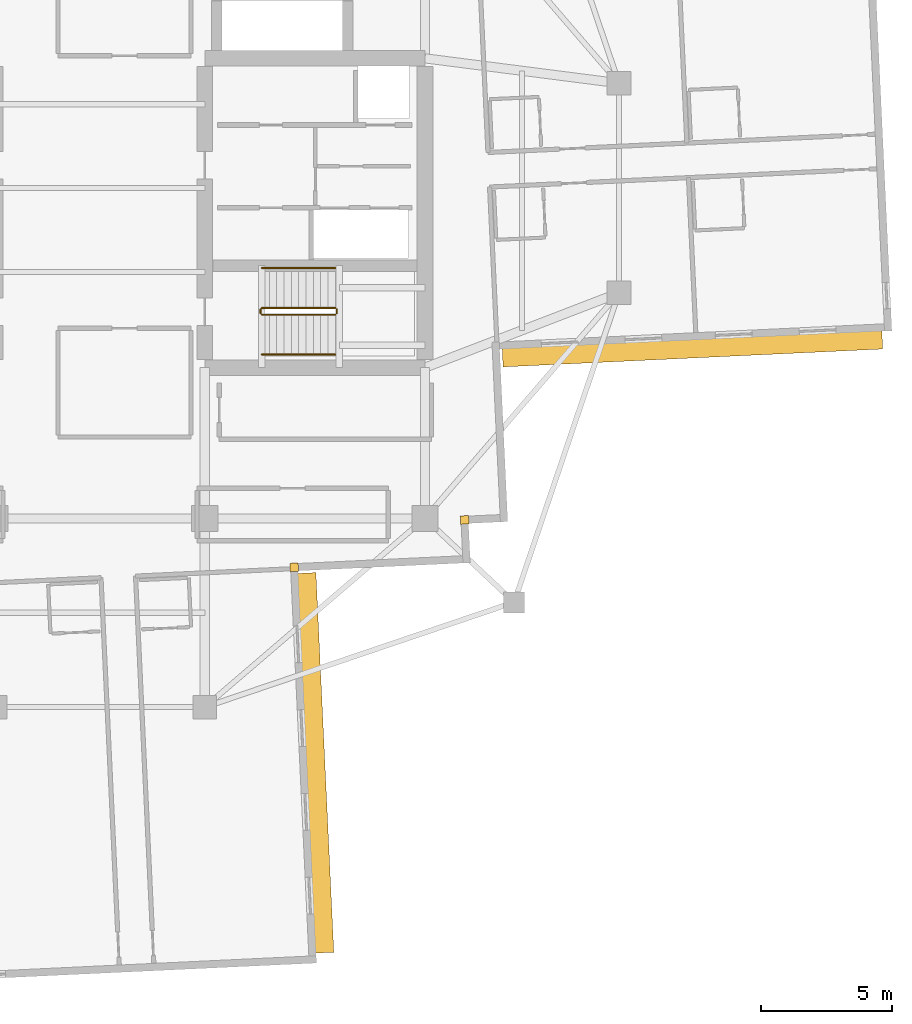
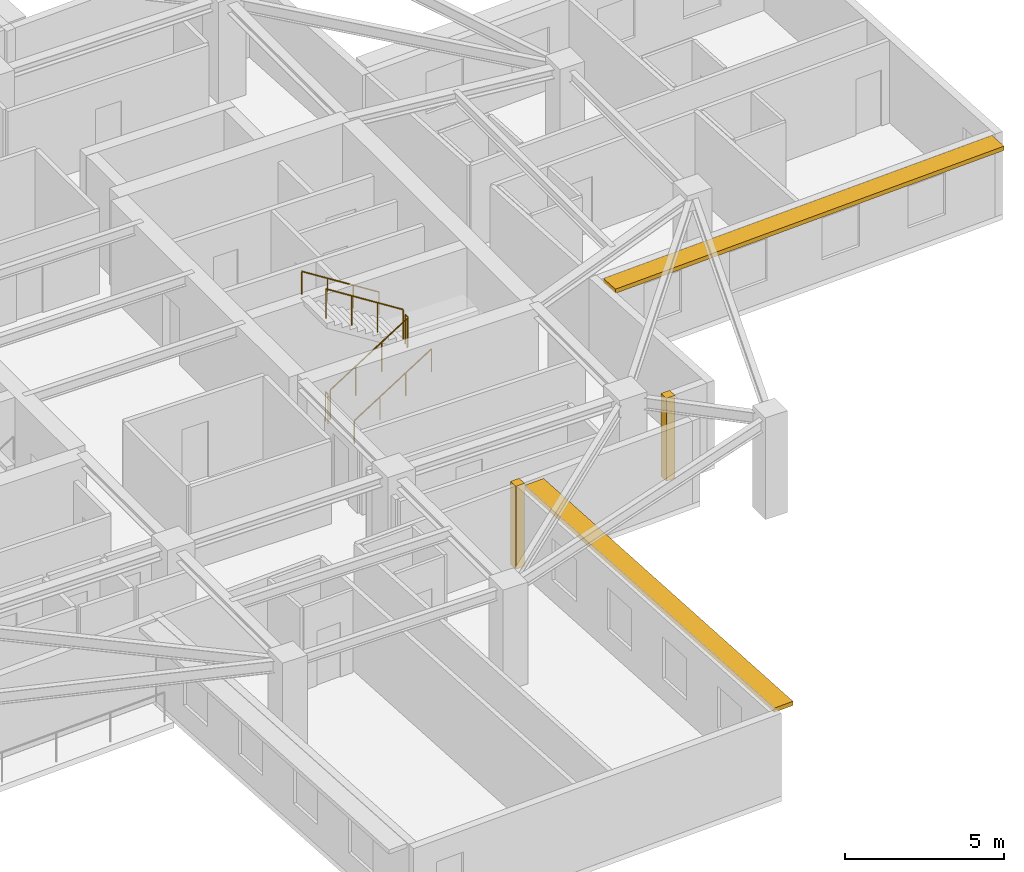
# One storey, part 10 of 12: 6 railings, 2 coverings, 2 shading devices.
"""IFC4 building model written with IfcOpenShell, lengths in metres."""

from ifc_helpers import new_model, si_unit, direction, frame, origin, origin_2d, place, context, subcontext, project, spatial, rectangle, circle, extrude, material, layer, layer_set, type_object, element, save


model = new_model("IFC4")

# Units and contexts
model_context = context("Model", 3, precision=1e-05, world=origin(), true_north=direction((0.0, 1.0)))
body_context = subcontext(model_context, "Body", "Model", "MODEL_VIEW")
ifc_project = project(units=[si_unit("LENGTHUNIT", "METRE"), si_unit("AREAUNIT", "SQUARE_METRE"), si_unit("VOLUMEUNIT", "CUBIC_METRE"), si_unit("PLANEANGLEUNIT", "RADIAN"), si_unit("MASSUNIT", "GRAM", prefix="KILO")], contexts=[model_context])

# Site, building, storey
site_placement = place(None, origin())
site = spatial("IfcSite", under=ifc_project, at=site_placement, CompositionType="ELEMENT")
building_placement = place(site_placement, origin())
building = spatial("IfcBuilding", under=site, at=building_placement, Name="Qingluan Cross Belvedere", CompositionType="ELEMENT")
storey_placement = place(building_placement, frame((0.0, 0.0, 213.0)))
storey = spatial("IfcBuildingStorey", under=building, at=storey_placement, Name="L53", CompositionType="ELEMENT", Elevation=213.0)

# Coverings
ifc_material_1 = material(Name="Precast concrete C45", Category="concrete")
ifc_layer_1 = layer(ifc_material_1, 0.1201171875, Name="ConcreteSpandrelCladding_120")
ifc_layer_set_1 = layer_set([ifc_layer_1], Name="Precast concrete C45")
covering_type = type_object("IfcCoveringType", Name="ConcreteSpandrelCladding_120", PredefinedType="CLADDING", material=ifc_layer_set_1)
for number, where, z_axis, x_axis, name in (
    (1, (13.911865234375, -12.65869140625, 0.0), (0.0, 0.0, 1.0), (0.998889874962, 0.04710645071, 0.0), "Corner closure L53-SE1"),
    (2, (7.40966796875, -14.467041015625, 0.0), (0.0, 0.0, 1.0), (0.998889874962, 0.04710645071, 0.0), "Corner closure L53-SE2"),
):
    element("IfcCovering", number, at=place(storey_placement, frame(where, z_axis=z_axis, x_axis=x_axis)), inside=storey, type_object=covering_type, Name=name, PredefinedType="CLADDING", context=body_context, shape_type="SweptSolid", body=[
        extrude(rectangle(XDim=0.320068359375, YDim=0.320068359375, at=origin_2d()), origin(), (0.0, 0.0, 1.0), 3.179931640625),
    ])

# Shading devices
ifc_material_2 = material(Name="Precast concrete C45", Category="concrete")
ifc_layer_2 = layer(ifc_material_2, 0.139892578125, Name="ConcreteSunshadeBand_700")
ifc_layer_set_2 = layer_set([ifc_layer_2], Name="Precast concrete C45")
shading_device_type = type_object("IfcShadingDeviceType", Name="ConcreteSunshadeBand_700", PredefinedType="USERDEFINED", material=ifc_layer_set_2)
for number, where, z_axis, x_axis, name in (
    (3, (22.60400390625, -6.132080078125, 3.0), (0.0, 0.0, 1.0), (0.99888976521, 0.047108777928, 0.0), "Concrete SUNSHADE L53-EA"),
    (4, (8.23193359375, -21.926513671875, 3.0), (0.0, 0.0, 1.0), (-0.047109098032, 0.998889750114, 0.0), "Concrete SUNSHADE L53-SB"),
):
    element("IfcShadingDevice", number, at=place(storey_placement, frame(where, z_axis=z_axis, x_axis=x_axis)), inside=storey, type_object=shading_device_type, Name=name, ObjectType="SUNSHADE", PredefinedType="USERDEFINED", context=body_context, shape_type="SweptSolid", body=[
        extrude(rectangle(XDim=14.5, YDim=0.699951171875, at=origin_2d()), origin(), (0.0, 0.0, 1.0), 0.159912109375),
    ])

# Railings
ifc_material_3 = material(Name="Brushed stainless steel tubular handrail", Category="steel")
railing_type_1 = type_object("IfcRailingType", Name="StairPitchHandrail_900", PredefinedType="HANDRAIL", material=ifc_material_3)
railing_1_placement = place(storey_placement, frame((6.179931640625, -6.35009765625, 0.17724609375)))
element("IfcRailing", 5, at=railing_1_placement, inside=storey, type_object=railing_type_1, Name="L53 ST2 stair handrail 1", PredefinedType="HANDRAIL", context=body_context, shape_type="SweptSolid", body=[
    extrude(circle(Radius=0.02392578125, at=origin_2d()), frame((0.0, 0.0, 0.8759765625), z_axis=(0.844908973607, 0.0, 0.534910110503), x_axis=(0.0, 1.0, 0.0)), (0.0, 0.0, 1.0), 3.31396484375),
    extrude(circle(Radius=0.02099609375, at=origin_2d()), origin(), (0.0, 0.0, 1.0), 0.851806640625),
    extrude(circle(Radius=0.02099609375, at=origin_2d()), frame((0.933349609375, 0.0, 0.5908203125)), (0.0, 0.0, 1.0), 0.851806640625),
    extrude(circle(Radius=0.02099609375, at=origin_2d()), frame((1.86669921875, 0.0, 1.181884765625)), (0.0, 0.0, 1.0), 0.851806640625),
    extrude(circle(Radius=0.02099609375, at=origin_2d()), frame((2.800048828125, 0.0, 1.772705078125)), (0.0, 0.0, 1.0), 0.851806640625),
])
railing_2_placement = place(storey_placement, frame((8.97998046875, -3.050048828125, 2.127197265625)))
element("IfcRailing", 6, at=railing_2_placement, inside=storey, type_object=railing_type_1, Name="L53 ST2 stair handrail 2", PredefinedType="HANDRAIL", context=body_context, shape_type="SweptSolid", body=[
    extrude(circle(Radius=0.02392578125, at=origin_2d()), frame((0.0, 0.0, 0.8759765625), z_axis=(-0.844908973607, 0.0, 0.534910110503), x_axis=(0.0, -1.0, 0.0)), (0.0, 0.0, 1.0), 3.31396484375),
    extrude(circle(Radius=0.02099609375, at=origin_2d()), origin(), (0.0, 0.0, 1.0), 0.851806640625),
    extrude(circle(Radius=0.02099609375, at=origin_2d()), frame((-0.933349609375, 0.0, 0.5908203125)), (0.0, 0.0, 1.0), 0.851806640625),
    extrude(circle(Radius=0.02099609375, at=origin_2d()), frame((-1.86669921875, 0.0, 1.181884765625)), (0.0, 0.0, 1.0), 0.851806640625),
    extrude(circle(Radius=0.02099609375, at=origin_2d()), frame((-2.800048828125, 0.0, 1.772705078125)), (0.0, 0.0, 1.0), 0.851806640625),
])
ifc_material_4 = material(Name="Painted steel stair well guard", Category="steel")
railing_type_2 = type_object("IfcRailingType", Name="StairWellGuard_1150", PredefinedType="BALUSTRADE", material=ifc_material_4)
railing_3_placement = place(storey_placement, frame((6.179931640625, -4.830078125, 0.17724609375)))
element("IfcRailing", 7, at=railing_3_placement, inside=storey, type_object=railing_type_2, Name="L53 ST2 stair guard 1", PredefinedType="BALUSTRADE", context=body_context, shape_type="SweptSolid", body=[
    extrude(circle(Radius=0.02392578125, at=origin_2d()), frame((0.0, 0.0, 1.1259765625), z_axis=(0.844908973607, 0.0, 0.534910110503), x_axis=(0.0, 1.0, 0.0)), (0.0, 0.0, 1.0), 3.31396484375),
    extrude(circle(Radius=0.02099609375, at=origin_2d()), origin(), (0.0, 0.0, 1.0), 1.101806640625),
    extrude(circle(Radius=0.02099609375, at=origin_2d()), frame((0.933349609375, 0.0, 0.5908203125)), (0.0, 0.0, 1.0), 1.101806640625),
    extrude(circle(Radius=0.02099609375, at=origin_2d()), frame((1.86669921875, 0.0, 1.181884765625)), (0.0, 0.0, 1.0), 1.101806640625),
    extrude(circle(Radius=0.02099609375, at=origin_2d()), frame((2.800048828125, 0.0, 1.772705078125)), (0.0, 0.0, 1.0), 1.101806640625),
])
railing_4_placement = place(storey_placement, frame((9.030029296875, -4.780029296875, 1.949951171875)))
element("IfcRailing", 8, at=railing_4_placement, inside=storey, type_object=railing_type_2, Name="L53 ST2 stair guard 2", PredefinedType="BALUSTRADE", context=body_context, shape_type="SweptSolid", body=[
    extrude(circle(Radius=0.02392578125, at=origin_2d()), frame((0.0, 0.0, 1.1259765625), z_axis=(0.0, 1.0, 0.0), x_axis=(-1.0, 0.0, 0.0)), (0.0, 0.0, 1.0), 0.159912109375),
    extrude(circle(Radius=0.02099609375, at=origin_2d()), origin(), (0.0, 0.0, 1.0), 1.101806640625),
    extrude(circle(Radius=0.02099609375, at=origin_2d()), frame((0.0, 0.159912109375, 0.0)), (0.0, 0.0, 1.0), 1.101806640625),
])
railing_5_placement = place(storey_placement, frame((8.97998046875, -4.570068359375, 2.127197265625)))
element("IfcRailing", 9, at=railing_5_placement, inside=storey, type_object=railing_type_2, Name="L53 ST2 stair guard 3", PredefinedType="BALUSTRADE", context=body_context, shape_type="SweptSolid", body=[
    extrude(circle(Radius=0.02392578125, at=origin_2d()), frame((0.0, 0.0, 1.1259765625), z_axis=(-0.844908973607, 0.0, 0.534910110503), x_axis=(0.0, -1.0, 0.0)), (0.0, 0.0, 1.0), 3.31396484375),
    extrude(circle(Radius=0.02099609375, at=origin_2d()), origin(), (0.0, 0.0, 1.0), 1.101806640625),
    extrude(circle(Radius=0.02099609375, at=origin_2d()), frame((-0.933349609375, 0.0, 0.5908203125)), (0.0, 0.0, 1.0), 1.101806640625),
    extrude(circle(Radius=0.02099609375, at=origin_2d()), frame((-1.86669921875, 0.0, 1.181884765625)), (0.0, 0.0, 1.0), 1.101806640625),
    extrude(circle(Radius=0.02099609375, at=origin_2d()), frame((-2.800048828125, 0.0, 1.772705078125)), (0.0, 0.0, 1.0), 1.101806640625),
])
railing_6_placement = place(storey_placement, frame((6.1298828125, -4.780029296875, 0.0)))
element("IfcRailing", 10, at=railing_6_placement, inside=storey, type_object=railing_type_2, Name="L53 ST2 stair guard 4", PredefinedType="BALUSTRADE", context=body_context, shape_type="SweptSolid", body=[
    extrude(circle(Radius=0.02392578125, at=origin_2d()), frame((0.0, 0.0, 1.1259765625), z_axis=(0.0, 1.0, 0.0), x_axis=(-1.0, 0.0, 0.0)), (0.0, 0.0, 1.0), 0.159912109375),
    extrude(circle(Radius=0.02099609375, at=origin_2d()), origin(), (0.0, 0.0, 1.0), 1.101806640625),
    extrude(circle(Radius=0.02099609375, at=origin_2d()), frame((0.0, 0.159912109375, 0.0)), (0.0, 0.0, 1.0), 1.101806640625),
])

save(model, "model.ifc")
